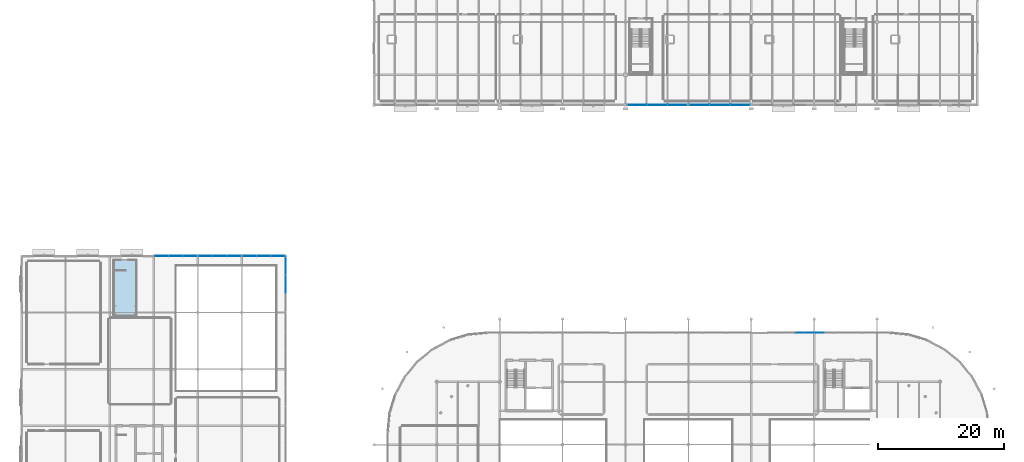
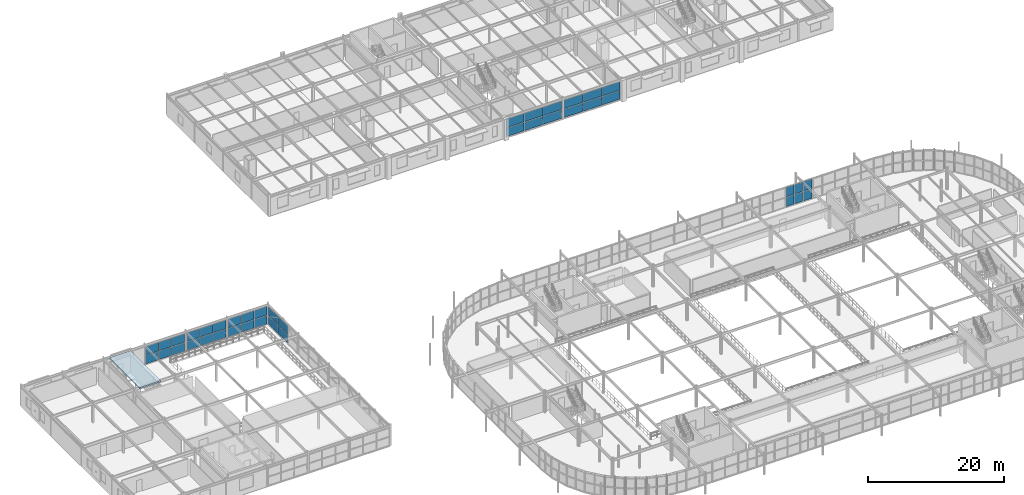
# One storey, part 69 of 98: 40 plates, 1 slab, 8 elements without a shape of their own.
"""IFC4 building model written with IfcOpenShell, lengths in metres."""

import ifcopenshell
import ifcopenshell.guid

model = None  # the IFC model being written
_history = None  # IfcOwnerHistory: only IFC2X3 demands one
_inside = {}  # id of a spatial element -> (the spatial element, [elements in it])
_under = {}  # id of a project, library or spatial element -> (it, [spatial elements below it])
_declared = {}  # id of a project -> (the project, [libraries it declares])
_typed = {}  # id of a type object -> (the type object, [elements of that type])
_made_of = {}  # id of a material, layer set ... -> (it, [elements and type objects made of it])


def new_model(schema):
    """Start an empty IFC model of exactly this schema.

    Asked for "IFC4X3", IfcOpenShell would pick the latest addendum, in which some entities
    have other attributes; the version numbers below select the first issue.
    IFC2X3 requires an IfcOwnerHistory on every rooted entity: one is made here for all.
    """
    global model, _history
    if schema == "IFC4X3":
        model = ifcopenshell.file(schema_version=(4, 3, 0, 0))
    else:
        model = ifcopenshell.file(schema=schema)
    _inside.clear()
    _under.clear()
    _declared.clear()
    _typed.clear()
    _made_of.clear()
    _history = None
    if model.schema == "IFC2X3":
        org = make("IfcOrganization", Name="unknown")
        user = make(
            "IfcPersonAndOrganization",
            ThePerson=make("IfcPerson", FamilyName="unknown"),
            TheOrganization=org,
        )
        app = make(
            "IfcApplication",
            ApplicationDeveloper=org,
            Version="unknown",
            ApplicationFullName="unknown",
            ApplicationIdentifier="unknown",
        )
        _history = make(
            "IfcOwnerHistory",
            OwningUser=user,
            OwningApplication=app,
            ChangeAction="ADDED",
            CreationDate=0,
        )
    return model


def make(cls, **values):
    """One entity of the class cls with the attributes given. An attribute that is None is left unset."""
    return model.create_entity(
        cls, **{name: value for name, value in values.items() if value is not None}
    )


def rooted(cls, **values):
    """An entity with a GlobalId (a new one), such as an element, a storey or a relation."""
    return make(cls, GlobalId=ifcopenshell.guid.new(), OwnerHistory=_history, **values)


def si_unit(unit_type, name, prefix=None):
    """IfcSIUnit, for example si_unit("LENGTHUNIT", "METRE", prefix="MILLI")."""
    return make("IfcSIUnit", UnitType=unit_type, Prefix=prefix, Name=name)


def derived_unit(unit_type, elements):
    """IfcDerivedUnit: a product of units, each with its exponent."""
    return make(
        "IfcDerivedUnit",
        Elements=[
            make("IfcDerivedUnitElement", Unit=unit, Exponent=power)
            for unit, power in elements
        ],
        UnitType=unit_type,
    )


def assignment(units):
    """IfcUnitAssignment: the units of a project."""
    return None if units is None else make("IfcUnitAssignment", Units=units)


def point(xyz):
    """IfcCartesianPoint."""
    return None if xyz is None else make("IfcCartesianPoint", Coordinates=xyz)


def direction(xyz):
    """IfcDirection."""
    return None if xyz is None else make("IfcDirection", DirectionRatios=xyz)


def frame(location, z_axis=None, x_axis=None):
    """IfcAxis2Placement3D, a coordinate frame: its origin and axes. An axis left out is left unset."""
    return make(
        "IfcAxis2Placement3D",
        Location=point(location),
        Axis=direction(z_axis),
        RefDirection=direction(x_axis),
    )


def frame_2d(location, x_axis=None):
    """IfcAxis2Placement2D, a coordinate frame in the plane: its origin and x axis."""
    return make(
        "IfcAxis2Placement2D", Location=point(location), RefDirection=direction(x_axis)
    )


def origin():
    """The frame at (0, 0, 0) with its axes left unset."""
    return frame((0.0, 0.0, 0.0))


def origin_2d_with_axis():
    """The frame at (0, 0) in the plane with the x axis (1, 0) written out."""
    return frame_2d((0.0, 0.0), x_axis=(1.0, 0.0))


def place(relative_to, where):
    """IfcLocalPlacement: puts the frame where relative to a parent placement (None: the world)."""
    return make(
        "IfcLocalPlacement", PlacementRelTo=relative_to, RelativePlacement=where
    )


def context(
    kind, dimensions, precision=None, world=None, true_north=None, identifier=None
):
    """IfcGeometricRepresentationContext, for example the 3D "Model" context."""
    return make(
        "IfcGeometricRepresentationContext",
        ContextIdentifier=identifier,
        ContextType=kind,
        CoordinateSpaceDimension=dimensions,
        Precision=precision,
        WorldCoordinateSystem=world,
        TrueNorth=true_north,
    )


def subcontext(parent, identifier, kind, view, scale=None):
    """IfcGeometricRepresentationSubContext, for example "Body" below "Model"."""
    return make(
        "IfcGeometricRepresentationSubContext",
        ContextIdentifier=identifier,
        ContextType=kind,
        ParentContext=parent,
        TargetScale=scale,
        TargetView=view,
    )


def project(units=None, contexts=None):
    """IfcProject with its units and contexts."""
    return rooted(
        "IfcProject",
        Name="project",
        RepresentationContexts=contexts,
        UnitsInContext=assignment(units),
    )


def spatial(cls, under=None, at=None, **own):
    """A site, building, storey or space (cls), placed at a placement, below another one or the project."""
    s = rooted(cls, ObjectPlacement=at, **own)
    if under is not None:
        _under.setdefault(under.id(), (under, []))[1].append(s)
    return s


def polyline(points):
    """IfcPolyline through the points."""
    return make("IfcPolyline", Points=[point(p) for p in points])


def profile(cls, at=None, kind="AREA", **sizes):
    """A parametric profile (cls). Its sizes go by their IFC names, for example OverallWidth=200.0."""
    return make(cls, ProfileType=kind, Position=at, **sizes)


def rectangle(**sizes):
    """IfcRectangleProfileDef."""
    return profile("IfcRectangleProfileDef", **sizes)


def outline(outer, holes=None, kind="AREA"):
    """IfcArbitraryClosedProfileDef: a profile drawn as a closed curve; with holes, ...WithVoids."""
    if holes is None:
        return make("IfcArbitraryClosedProfileDef", ProfileType=kind, OuterCurve=outer)
    return make(
        "IfcArbitraryProfileDefWithVoids",
        ProfileType=kind,
        OuterCurve=outer,
        InnerCurves=holes,
    )


def extrude(swept, where, along, depth):
    """IfcExtrudedAreaSolid: the profile swept, set in the frame where, extruded along a direction by depth."""
    return make(
        "IfcExtrudedAreaSolid",
        SweptArea=swept,
        Position=where,
        ExtrudedDirection=direction(along),
        Depth=depth,
    )


def shape(context_of_items, identifier, shape_type, items):
    """IfcShapeRepresentation: the items that make up one representation, for example the "Body"."""
    return make(
        "IfcShapeRepresentation",
        ContextOfItems=context_of_items,
        RepresentationIdentifier=identifier,
        RepresentationType=shape_type,
        Items=items,
    )


def material(Name=None, Category=None):
    """IfcMaterial."""
    return make("IfcMaterial", Name=Name, Category=Category)


def layer(
    of_material, thickness, ventilated=None, Name=None, Category=None, Priority=None
):
    """IfcMaterialLayer: one layer of a wall or slab, of a material (None: an air gap)."""
    return make(
        "IfcMaterialLayer",
        Material=of_material,
        LayerThickness=thickness,
        IsVentilated=ventilated,
        Name=Name,
        Category=Category,
        Priority=Priority,
    )


def layer_set(layers, Name=None):
    """IfcMaterialLayerSet."""
    return make("IfcMaterialLayerSet", MaterialLayers=layers, LayerSetName=Name)


def made_of(thing, what):
    """Note that an element or type object is made of a material, layer set ...; save() writes the relation."""
    if what is not None:
        _made_of.setdefault(what.id(), (what, []))[1].append(thing)
    return thing


def type_object(cls, material=None, **own):
    """A type object (cls), such as IfcWallType, which elements share."""
    return made_of(rooted(cls, **own), material)


def element(
    cls,
    number,
    at=None,
    inside=None,
    cuts=None,
    type_object=None,
    material=None,
    context=None,
    identifier="Body",
    shape_type=None,
    held_by="IfcProductDefinitionShape",
    body=None,
    shapes=None,
    **own,
):
    """One element of the class cls, such as IfcWall. Its Tag is "e" and its number.

    at: its placement. inside: the storey or other place that contains it. cuts: it is an
    opening in that element (IfcRelVoidsElement). A single representation is given by context,
    identifier, shape_type and body (its items); several are given by shapes. held_by: the class
    of the entity that holds the representations. save() writes the other relations.
    """
    e = rooted(cls, Tag="e%d" % number, ObjectPlacement=at, **own)
    if body is not None:
        shapes = [shape(context, identifier, shape_type, body)]
    if shapes is not None:
        e.Representation = make(held_by, Representations=shapes)
    if inside is not None:
        _inside.setdefault(inside.id(), (inside, []))[1].append(e)
    if cuts is not None:
        rooted(
            "IfcRelVoidsElement", RelatingBuildingElement=cuts, RelatedOpeningElement=e
        )
    if type_object is not None:
        _typed.setdefault(type_object.id(), (type_object, []))[1].append(e)
    return made_of(e, material)


def aggregate(whole, parts):
    """IfcRelAggregates: a whole, such as a stair, and the parts it consists of."""
    return rooted("IfcRelAggregates", RelatingObject=whole, RelatedObjects=parts)


def save(model, path):
    """Write the relations noted so far, then the file.

    IfcRelAggregates (storeys below a building ...), IfcRelContainedInSpatialStructure (elements
    in a storey), IfcRelDefinesByType, IfcRelAssociatesMaterial and IfcRelDeclares: one each for
    every whole, place, type object, material and project.
    """
    for whole, parts in _under.values():
        aggregate(whole, parts)
    for where, things in _inside.values():
        rooted(
            "IfcRelContainedInSpatialStructure",
            RelatedElements=things,
            RelatingStructure=where,
        )
    for kind, things in _typed.values():
        rooted("IfcRelDefinesByType", RelatedObjects=things, RelatingType=kind)
    for what, things in _made_of.values():
        rooted("IfcRelAssociatesMaterial", RelatedObjects=things, RelatingMaterial=what)
    for by, libraries in _declared.values():
        rooted("IfcRelDeclares", RelatingContext=by, RelatedDefinitions=libraries)
    model.write(path)


model = new_model("IFC4")

# Units and contexts
model_context = context("Model", 3, precision=1e-05, world=origin(), true_north=direction((0.0, 1.0)))
body_context = subcontext(model_context, "Body", "Model", "MODEL_VIEW")
ifc_project = project(units=[si_unit("LENGTHUNIT", "METRE"), si_unit("AREAUNIT", "SQUARE_METRE"), si_unit("VOLUMEUNIT", "CUBIC_METRE"), si_unit("PLANEANGLEUNIT", "RADIAN"), si_unit("MASSUNIT", "GRAM", prefix="KILO"), derived_unit("THERMALTRANSMITTANCEUNIT", [(si_unit("POWERUNIT", "WATT"), 1), (si_unit("LENGTHUNIT", "METRE"), -2), (si_unit("THERMODYNAMICTEMPERATUREUNIT", "KELVIN"), -1)])], contexts=[model_context])

# Site, building, storey
site_placement = place(None, origin())
site = spatial("IfcSite", under=ifc_project, at=site_placement, CompositionType="ELEMENT")
building_placement = place(site_placement, origin())
building = spatial("IfcBuilding", under=site, at=building_placement, Name="Cinnabar Yard Market Hall", CompositionType="ELEMENT")
storey_placement = place(building_placement, frame((0.0, 0.0, 4.5)))
storey = spatial("IfcBuildingStorey", under=building, at=storey_placement, Name="L01", CompositionType="ELEMENT", Elevation=4.5)

# Curtain wall, plates
ifc_material_1 = material(Name="Anodised bronze aluminium and low-E glass", Category="aluminium")
curtain_wall_type_1 = type_object("IfcCurtainWallType", Name="CW-CWH030x36", PredefinedType="NOTDEFINED", material=ifc_material_1)
curtain_wall_1_placement = place(storey_placement, origin())
curtain_wall_1 = element("IfcCurtainWall", 1, at=curtain_wall_1_placement, inside=storey, type_object=curtain_wall_type_1, Name="Market Hall North Gallery Glazing B5B", PredefinedType="NOTDEFINED")
ifc_material_2 = material(Name="Low-E laminated glass", Category="glass")
ifc_layer_1 = layer(ifc_material_2, 0.031982421875)
ifc_layer_set_1 = layer_set([ifc_layer_1], Name="Low-E laminated glass")
plate_type_1 = type_object("IfcPlateType", Name="CWP-GP138x171", PredefinedType="CURTAIN_PANEL", material=ifc_layer_set_1)
plate_1_placement = place(storey_placement, frame((135.22998046875, 71.800048828125, 0.080078125), z_axis=(0.0, 0.0, 1.0), x_axis=(-1.0, 0.0, 0.0)))
plate_1 = element("IfcPlate", 2, at=plate_1_placement, type_object=plate_type_1, Name="CWH030x36 panel 1.1", PredefinedType="CURTAIN_PANEL", context=body_context, shape_type="SweptSolid", body=[
    extrude(rectangle(XDim=1.3798828125, YDim=0.031982421875, at=origin_2d_with_axis()), origin(), (0.0, 0.0, 1.0), 1.705078125),
])
plate_2_placement = place(storey_placement, frame((135.22998046875, 71.800048828125, 1.864990234375), z_axis=(0.0, 0.0, 1.0), x_axis=(-1.0, 0.0, 0.0)))
plate_2 = element("IfcPlate", 3, at=plate_2_placement, type_object=plate_type_1, Name="CWH030x36 panel 1.2", PredefinedType="CURTAIN_PANEL", context=body_context, shape_type="SweptSolid", body=[
    extrude(rectangle(XDim=1.3798828125, YDim=0.031982421875, at=origin_2d_with_axis()), origin(), (0.0, 0.0, 1.0), 1.705078125),
])
plate_3_placement = place(storey_placement, frame((133.77001953125, 71.800048828125, 0.080078125), z_axis=(0.0, 0.0, 1.0), x_axis=(-1.0, 0.0, 0.0)))
plate_3 = element("IfcPlate", 4, at=plate_3_placement, type_object=plate_type_1, Name="CWH030x36 panel 2.1", PredefinedType="CURTAIN_PANEL", context=body_context, shape_type="SweptSolid", body=[
    extrude(rectangle(XDim=1.3798828125, YDim=0.031982421875, at=origin_2d_with_axis()), origin(), (0.0, 0.0, 1.0), 1.705078125),
])
plate_4_placement = place(storey_placement, frame((133.77001953125, 71.800048828125, 1.864990234375), z_axis=(0.0, 0.0, 1.0), x_axis=(-1.0, 0.0, 0.0)))
plate_4 = element("IfcPlate", 5, at=plate_4_placement, type_object=plate_type_1, Name="CWH030x36 panel 2.2", PredefinedType="CURTAIN_PANEL", context=body_context, shape_type="SweptSolid", body=[
    extrude(rectangle(XDim=1.3798828125, YDim=0.031982421875, at=origin_2d_with_axis()), origin(), (0.0, 0.0, 1.0), 1.705078125),
])
aggregate(curtain_wall_1, [plate_1, plate_2, plate_3, plate_4])

curtain_wall_type_2 = type_object("IfcCurtainWallType", Name="CW-CWH032x36", PredefinedType="NOTDEFINED", material=ifc_material_1)
curtain_wall_2_placement = place(storey_placement, origin())
curtain_wall_2 = element("IfcCurtainWall", 6, at=curtain_wall_2_placement, inside=storey, type_object=curtain_wall_type_2, Name="Market Hall North Gallery Glazing B6A", PredefinedType="NOTDEFINED")
ifc_layer_2 = layer(ifc_material_2, 0.031982421875)
ifc_layer_set_2 = layer_set([ifc_layer_2], Name="Low-E laminated glass")
plate_type_2 = type_object("IfcPlateType", Name="CWP-GP148x171", PredefinedType="CURTAIN_PANEL", material=ifc_layer_set_2)
plate_5_placement = place(storey_placement, frame((136.820068359375, 71.800048828125, 0.080078125), z_axis=(0.0, 0.0, 1.0), x_axis=(-1.0, 0.0, 0.0)))
plate_5 = element("IfcPlate", 7, at=plate_5_placement, type_object=plate_type_2, Name="CWH032x36 panel 2.1", PredefinedType="CURTAIN_PANEL", context=body_context, shape_type="SweptSolid", body=[
    extrude(rectangle(XDim=1.47998046875, YDim=0.031982421875, at=origin_2d_with_axis()), origin(), (0.0, 0.0, 1.0), 1.705078125),
])
plate_6_placement = place(storey_placement, frame((136.820068359375, 71.800048828125, 1.864990234375), z_axis=(0.0, 0.0, 1.0), x_axis=(-1.0, 0.0, 0.0)))
plate_6 = element("IfcPlate", 8, at=plate_6_placement, type_object=plate_type_2, Name="CWH032x36 panel 2.2", PredefinedType="CURTAIN_PANEL", context=body_context, shape_type="SweptSolid", body=[
    extrude(rectangle(XDim=1.47998046875, YDim=0.031982421875, at=origin_2d_with_axis()), origin(), (0.0, 0.0, 1.0), 1.705078125),
])
aggregate(curtain_wall_2, [plate_5, plate_6])

ifc_material_3 = material(Name="Anodised bronze aluminium courtyard facade", Category="aluminium")
curtain_wall_type_3 = type_object("IfcCurtainWallType", Name="CW-CWF068x33", PredefinedType="NOTDEFINED", material=ifc_material_3)
curtain_wall_3_placement = place(storey_placement, origin())
curtain_wall_3 = element("IfcCurtainWall", 9, at=curtain_wall_3_placement, inside=storey, type_object=curtain_wall_type_3, Name="Pavilion North Glazed Arcade L01 Bay 4", PredefinedType="NOTDEFINED")
ifc_layer_3 = layer(ifc_material_2, 0.031982421875)
ifc_layer_set_3 = layer_set([ifc_layer_3], Name="Low-E laminated glass")
plate_type_3 = type_object("IfcPlateType", Name="CWP-GP215x153", PredefinedType="CURTAIN_PANEL", material=ifc_layer_set_3)
plate_7_placement = place(storey_placement, frame((36.747802734375, 84.0, 0.0751953125), z_axis=(0.0, 0.0, 1.0), x_axis=(-1.0, 0.0, 0.0)))
plate_7 = element("IfcPlate", 10, at=plate_7_placement, type_object=plate_type_3, Name="CWF068x33 panel 1.1", PredefinedType="CURTAIN_PANEL", context=body_context, shape_type="SweptSolid", body=[
    extrude(rectangle(XDim=2.154052734375, YDim=0.031982421875, at=origin_2d_with_axis()), origin(), (0.0, 0.0, 1.0), 1.532470703125),
])
plate_8_placement = place(storey_placement, frame((36.747802734375, 84.0, 1.6826171875), z_axis=(0.0, 0.0, 1.0), x_axis=(-1.0, 0.0, 0.0)))
plate_8 = element("IfcPlate", 11, at=plate_8_placement, type_object=plate_type_3, Name="CWF068x33 panel 1.2", PredefinedType="CURTAIN_PANEL", context=body_context, shape_type="SweptSolid", body=[
    extrude(rectangle(XDim=2.154052734375, YDim=0.031982421875, at=origin_2d_with_axis()), origin(), (0.0, 0.0, 1.0), 1.532470703125),
])
plate_9_placement = place(storey_placement, frame((32.252197265625, 84.0, 0.0751953125), z_axis=(0.0, 0.0, 1.0), x_axis=(-1.0, 0.0, 0.0)))
plate_9 = element("IfcPlate", 12, at=plate_9_placement, type_object=plate_type_3, Name="CWF068x33 panel 3.1", PredefinedType="CURTAIN_PANEL", context=body_context, shape_type="SweptSolid", body=[
    extrude(rectangle(XDim=2.154052734375, YDim=0.031982421875, at=origin_2d_with_axis()), origin(), (0.0, 0.0, 1.0), 1.532470703125),
])
plate_10_placement = place(storey_placement, frame((32.252197265625, 84.0, 1.6826171875), z_axis=(0.0, 0.0, 1.0), x_axis=(-1.0, 0.0, 0.0)))
plate_10 = element("IfcPlate", 13, at=plate_10_placement, type_object=plate_type_3, Name="CWF068x33 panel 3.2", PredefinedType="CURTAIN_PANEL", context=body_context, shape_type="SweptSolid", body=[
    extrude(rectangle(XDim=2.154052734375, YDim=0.031982421875, at=origin_2d_with_axis()), origin(), (0.0, 0.0, 1.0), 1.532470703125),
])

curtain_wall_4_placement = place(storey_placement, origin())
curtain_wall_4 = element("IfcCurtainWall", 14, at=curtain_wall_4_placement, inside=storey, type_object=curtain_wall_type_3, Name="Pavilion North Glazed Arcade L01 Bay 5", PredefinedType="NOTDEFINED")
plate_11_placement = place(storey_placement, frame((43.747802734375, 84.0, 0.0751953125), z_axis=(0.0, 0.0, 1.0), x_axis=(-1.0, 0.0, 0.0)))
plate_11 = element("IfcPlate", 15, at=plate_11_placement, type_object=plate_type_3, Name="CWF068x33 panel 1.1", PredefinedType="CURTAIN_PANEL", context=body_context, shape_type="SweptSolid", body=[
    extrude(rectangle(XDim=2.154052734375, YDim=0.031982421875, at=origin_2d_with_axis()), origin(), (0.0, 0.0, 1.0), 1.532470703125),
])
plate_12_placement = place(storey_placement, frame((43.747802734375, 84.0, 1.6826171875), z_axis=(0.0, 0.0, 1.0), x_axis=(-1.0, 0.0, 0.0)))
plate_12 = element("IfcPlate", 16, at=plate_12_placement, type_object=plate_type_3, Name="CWF068x33 panel 1.2", PredefinedType="CURTAIN_PANEL", context=body_context, shape_type="SweptSolid", body=[
    extrude(rectangle(XDim=2.154052734375, YDim=0.031982421875, at=origin_2d_with_axis()), origin(), (0.0, 0.0, 1.0), 1.532470703125),
])
plate_13_placement = place(storey_placement, frame((39.252197265625, 84.0, 0.0751953125), z_axis=(0.0, 0.0, 1.0), x_axis=(-1.0, 0.0, 0.0)))
plate_13 = element("IfcPlate", 17, at=plate_13_placement, type_object=plate_type_3, Name="CWF068x33 panel 3.1", PredefinedType="CURTAIN_PANEL", context=body_context, shape_type="SweptSolid", body=[
    extrude(rectangle(XDim=2.154052734375, YDim=0.031982421875, at=origin_2d_with_axis()), origin(), (0.0, 0.0, 1.0), 1.532470703125),
])
plate_14_placement = place(storey_placement, frame((39.252197265625, 84.0, 1.6826171875), z_axis=(0.0, 0.0, 1.0), x_axis=(-1.0, 0.0, 0.0)))
plate_14 = element("IfcPlate", 18, at=plate_14_placement, type_object=plate_type_3, Name="CWF068x33 panel 3.2", PredefinedType="CURTAIN_PANEL", context=body_context, shape_type="SweptSolid", body=[
    extrude(rectangle(XDim=2.154052734375, YDim=0.031982421875, at=origin_2d_with_axis()), origin(), (0.0, 0.0, 1.0), 1.532470703125),
])

curtain_wall_5_placement = place(storey_placement, origin())
curtain_wall_5 = element("IfcCurtainWall", 19, at=curtain_wall_5_placement, inside=storey, type_object=curtain_wall_type_3, Name="Pavilion North Glazed Arcade L01 Bay 6", PredefinedType="NOTDEFINED")
plate_15_placement = place(storey_placement, frame((50.747802734375, 84.0, 0.0751953125), z_axis=(0.0, 0.0, 1.0), x_axis=(-1.0, 0.0, 0.0)))
plate_15 = element("IfcPlate", 20, at=plate_15_placement, type_object=plate_type_3, Name="CWF068x33 panel 1.1", PredefinedType="CURTAIN_PANEL", context=body_context, shape_type="SweptSolid", body=[
    extrude(rectangle(XDim=2.154052734375, YDim=0.031982421875, at=origin_2d_with_axis()), origin(), (0.0, 0.0, 1.0), 1.532470703125),
])
plate_16_placement = place(storey_placement, frame((50.747802734375, 84.0, 1.6826171875), z_axis=(0.0, 0.0, 1.0), x_axis=(-1.0, 0.0, 0.0)))
plate_16 = element("IfcPlate", 21, at=plate_16_placement, type_object=plate_type_3, Name="CWF068x33 panel 1.2", PredefinedType="CURTAIN_PANEL", context=body_context, shape_type="SweptSolid", body=[
    extrude(rectangle(XDim=2.154052734375, YDim=0.031982421875, at=origin_2d_with_axis()), origin(), (0.0, 0.0, 1.0), 1.532470703125),
])
plate_17_placement = place(storey_placement, frame((46.252197265625, 84.0, 0.0751953125), z_axis=(0.0, 0.0, 1.0), x_axis=(-1.0, 0.0, 0.0)))
plate_17 = element("IfcPlate", 22, at=plate_17_placement, type_object=plate_type_3, Name="CWF068x33 panel 3.1", PredefinedType="CURTAIN_PANEL", context=body_context, shape_type="SweptSolid", body=[
    extrude(rectangle(XDim=2.154052734375, YDim=0.031982421875, at=origin_2d_with_axis()), origin(), (0.0, 0.0, 1.0), 1.532470703125),
])
plate_18_placement = place(storey_placement, frame((46.252197265625, 84.0, 1.6826171875), z_axis=(0.0, 0.0, 1.0), x_axis=(-1.0, 0.0, 0.0)))
plate_18 = element("IfcPlate", 23, at=plate_18_placement, type_object=plate_type_3, Name="CWF068x33 panel 3.2", PredefinedType="CURTAIN_PANEL", context=body_context, shape_type="SweptSolid", body=[
    extrude(rectangle(XDim=2.154052734375, YDim=0.031982421875, at=origin_2d_with_axis()), origin(), (0.0, 0.0, 1.0), 1.532470703125),
])

# Plate
ifc_layer_4 = layer(ifc_material_2, 0.031982421875)
ifc_layer_set_4 = layer_set([ifc_layer_4], Name="Low-E laminated glass")
plate_type_4 = type_object("IfcPlateType", Name="CWP-GP219x153", PredefinedType="CURTAIN_PANEL", material=ifc_layer_set_4)
plate_19_placement = place(storey_placement, frame((34.5, 84.0, 0.0751953125), z_axis=(0.0, 0.0, 1.0), x_axis=(-1.0, 0.0, 0.0)))
plate_19 = element("IfcPlate", 24, at=plate_19_placement, type_object=plate_type_4, Name="CWF068x33 panel 2.1", PredefinedType="CURTAIN_PANEL", context=body_context, shape_type="SweptSolid", body=[
    extrude(rectangle(XDim=2.191650390625, YDim=0.031982421875, at=origin_2d_with_axis()), origin(), (0.0, 0.0, 1.0), 1.532470703125),
])

plate_20_placement = place(storey_placement, frame((34.5, 84.0, 1.6826171875), z_axis=(0.0, 0.0, 1.0), x_axis=(-1.0, 0.0, 0.0)))
plate_20 = element("IfcPlate", 25, at=plate_20_placement, type_object=plate_type_4, Name="CWF068x33 panel 2.2", PredefinedType="CURTAIN_PANEL", context=body_context, shape_type="SweptSolid", body=[
    extrude(rectangle(XDim=2.191650390625, YDim=0.031982421875, at=origin_2d_with_axis()), origin(), (0.0, 0.0, 1.0), 1.532470703125),
])

aggregate(curtain_wall_3, [plate_7, plate_8, plate_19, plate_20, plate_9, plate_10])

plate_21_placement = place(storey_placement, frame((41.5, 84.0, 0.0751953125), z_axis=(0.0, 0.0, 1.0), x_axis=(-1.0, 0.0, 0.0)))
plate_21 = element("IfcPlate", 26, at=plate_21_placement, type_object=plate_type_4, Name="CWF068x33 panel 2.1", PredefinedType="CURTAIN_PANEL", context=body_context, shape_type="SweptSolid", body=[
    extrude(rectangle(XDim=2.191650390625, YDim=0.031982421875, at=origin_2d_with_axis()), origin(), (0.0, 0.0, 1.0), 1.532470703125),
])

plate_22_placement = place(storey_placement, frame((41.5, 84.0, 1.6826171875), z_axis=(0.0, 0.0, 1.0), x_axis=(-1.0, 0.0, 0.0)))
plate_22 = element("IfcPlate", 27, at=plate_22_placement, type_object=plate_type_4, Name="CWF068x33 panel 2.2", PredefinedType="CURTAIN_PANEL", context=body_context, shape_type="SweptSolid", body=[
    extrude(rectangle(XDim=2.191650390625, YDim=0.031982421875, at=origin_2d_with_axis()), origin(), (0.0, 0.0, 1.0), 1.532470703125),
])

aggregate(curtain_wall_4, [plate_11, plate_12, plate_21, plate_22, plate_13, plate_14])

plate_23_placement = place(storey_placement, frame((48.5, 84.0, 0.0751953125), z_axis=(0.0, 0.0, 1.0), x_axis=(-1.0, 0.0, 0.0)))
plate_23 = element("IfcPlate", 28, at=plate_23_placement, type_object=plate_type_4, Name="CWF068x33 panel 2.1", PredefinedType="CURTAIN_PANEL", context=body_context, shape_type="SweptSolid", body=[
    extrude(rectangle(XDim=2.191650390625, YDim=0.031982421875, at=origin_2d_with_axis()), origin(), (0.0, 0.0, 1.0), 1.532470703125),
])

plate_24_placement = place(storey_placement, frame((48.5, 84.0, 1.6826171875), z_axis=(0.0, 0.0, 1.0), x_axis=(-1.0, 0.0, 0.0)))
plate_24 = element("IfcPlate", 29, at=plate_24_placement, type_object=plate_type_4, Name="CWF068x33 panel 2.2", PredefinedType="CURTAIN_PANEL", context=body_context, shape_type="SweptSolid", body=[
    extrude(rectangle(XDim=2.191650390625, YDim=0.031982421875, at=origin_2d_with_axis()), origin(), (0.0, 0.0, 1.0), 1.532470703125),
])

aggregate(curtain_wall_5, [plate_15, plate_16, plate_23, plate_24, plate_17, plate_18])

# Curtain wall, plates
curtain_wall_type_4 = type_object("IfcCurtainWallType", Name="CW-CWF088x33", PredefinedType="NOTDEFINED", material=ifc_material_3)
curtain_wall_6_placement = place(storey_placement, origin())
curtain_wall_6 = element("IfcCurtainWall", 30, at=curtain_wall_6_placement, inside=storey, type_object=curtain_wall_type_4, Name="Pavilion Courtyard Glazing L01 Bay 4", PredefinedType="NOTDEFINED")
ifc_layer_5 = layer(ifc_material_2, 0.031982421875)
ifc_layer_set_5 = layer_set([ifc_layer_5], Name="Low-E laminated glass")
plate_type_5 = type_object("IfcPlateType", Name="CWP-GP282x153", PredefinedType="CURTAIN_PANEL", material=ifc_layer_set_5)
plate_25_placement = place(storey_placement, frame((52.0, 82.41455078125, 0.0751953125), z_axis=(0.0, 0.0, 1.0), x_axis=(0.0, 1.0, 0.0)))
plate_25 = element("IfcPlate", 31, at=plate_25_placement, type_object=plate_type_5, Name="CWF088x33 panel 3.1", PredefinedType="CURTAIN_PANEL", context=body_context, shape_type="SweptSolid", body=[
    extrude(rectangle(XDim=2.82080078125, YDim=0.031982421875, at=origin_2d_with_axis()), origin(), (0.0, 0.0, 1.0), 1.532470703125),
])
plate_26_placement = place(storey_placement, frame((52.0, 82.41455078125, 1.6826171875), z_axis=(0.0, 0.0, 1.0), x_axis=(0.0, 1.0, 0.0)))
plate_26 = element("IfcPlate", 32, at=plate_26_placement, type_object=plate_type_5, Name="CWF088x33 panel 3.2", PredefinedType="CURTAIN_PANEL", context=body_context, shape_type="SweptSolid", body=[
    extrude(rectangle(XDim=2.82080078125, YDim=0.031982421875, at=origin_2d_with_axis()), origin(), (0.0, 0.0, 1.0), 1.532470703125),
])
ifc_layer_6 = layer(ifc_material_2, 0.031982421875)
ifc_layer_set_6 = layer_set([ifc_layer_6], Name="Low-E laminated glass")
plate_type_6 = type_object("IfcPlateType", Name="CWP-GP286x153", PredefinedType="CURTAIN_PANEL", material=ifc_layer_set_6)
plate_27_placement = place(storey_placement, frame((52.0, 79.5, 0.0751953125), z_axis=(0.0, 0.0, 1.0), x_axis=(0.0, 1.0, 0.0)))
plate_27 = element("IfcPlate", 33, at=plate_27_placement, type_object=plate_type_6, Name="CWF088x33 panel 2.1", PredefinedType="CURTAIN_PANEL", context=body_context, shape_type="SweptSolid", body=[
    extrude(rectangle(XDim=2.8583984375, YDim=0.031982421875, at=origin_2d_with_axis()), origin(), (0.0, 0.0, 1.0), 1.532470703125),
])
plate_28_placement = place(storey_placement, frame((52.0, 79.5, 1.6826171875), z_axis=(0.0, 0.0, 1.0), x_axis=(0.0, 1.0, 0.0)))
plate_28 = element("IfcPlate", 34, at=plate_28_placement, type_object=plate_type_6, Name="CWF088x33 panel 2.2", PredefinedType="CURTAIN_PANEL", context=body_context, shape_type="SweptSolid", body=[
    extrude(rectangle(XDim=2.8583984375, YDim=0.031982421875, at=origin_2d_with_axis()), origin(), (0.0, 0.0, 1.0), 1.532470703125),
])
aggregate(curtain_wall_6, [plate_27, plate_28, plate_25, plate_26])

curtain_wall_type_5 = type_object("IfcCurtainWallType", Name="CW-CWF096x33", PredefinedType="NOTDEFINED", material=ifc_material_3)
curtain_wall_7_placement = place(storey_placement, origin())
curtain_wall_7 = element("IfcCurtainWall", 35, at=curtain_wall_7_placement, inside=storey, type_object=curtain_wall_type_5, Name="Wing South Pishtaq Glazing L01 Bay 5", PredefinedType="NOTDEFINED")
ifc_layer_7 = layer(ifc_material_2, 0.031982421875)
ifc_layer_set_7 = layer_set([ifc_layer_7], Name="Low-E laminated glass")
plate_type_7 = type_object("IfcPlateType", Name="CWP-GP308x153", PredefinedType="CURTAIN_PANEL", material=ifc_layer_set_7)
plate_29_placement = place(storey_placement, frame((107.870361328125, 108.0, 0.0751953125), z_axis=(0.0, 0.0, 1.0), x_axis=(1.0, 0.0, 0.0)))
plate_29 = element("IfcPlate", 36, at=plate_29_placement, type_object=plate_type_7, Name="CWF096x33 panel 1.1", PredefinedType="CURTAIN_PANEL", context=body_context, shape_type="SweptSolid", body=[
    extrude(rectangle(XDim=3.082763671875, YDim=0.031982421875, at=origin_2d_with_axis()), origin(), (0.0, 0.0, 1.0), 1.532470703125),
])
plate_30_placement = place(storey_placement, frame((107.870361328125, 108.0, 1.6826171875), z_axis=(0.0, 0.0, 1.0), x_axis=(1.0, 0.0, 0.0)))
plate_30 = element("IfcPlate", 37, at=plate_30_placement, type_object=plate_type_7, Name="CWF096x33 panel 1.2", PredefinedType="CURTAIN_PANEL", context=body_context, shape_type="SweptSolid", body=[
    extrude(rectangle(XDim=3.082763671875, YDim=0.031982421875, at=origin_2d_with_axis()), origin(), (0.0, 0.0, 1.0), 1.532470703125),
])
plate_31_placement = place(storey_placement, frame((114.2236328125, 108.0, 0.0751953125), z_axis=(0.0, 0.0, 1.0), x_axis=(1.0, 0.0, 0.0)))
plate_31 = element("IfcPlate", 38, at=plate_31_placement, type_object=plate_type_7, Name="CWF096x33 panel 3.1", PredefinedType="CURTAIN_PANEL", context=body_context, shape_type="SweptSolid", body=[
    extrude(rectangle(XDim=3.082763671875, YDim=0.031982421875, at=origin_2d_with_axis()), origin(), (0.0, 0.0, 1.0), 1.532470703125),
])
plate_32_placement = place(storey_placement, frame((114.2236328125, 108.0, 1.6826171875), z_axis=(0.0, 0.0, 1.0), x_axis=(1.0, 0.0, 0.0)))
plate_32 = element("IfcPlate", 39, at=plate_32_placement, type_object=plate_type_7, Name="CWF096x33 panel 3.2", PredefinedType="CURTAIN_PANEL", context=body_context, shape_type="SweptSolid", body=[
    extrude(rectangle(XDim=3.082763671875, YDim=0.031982421875, at=origin_2d_with_axis()), origin(), (0.0, 0.0, 1.0), 1.532470703125),
])

curtain_wall_type_6 = type_object("IfcCurtainWallType", Name="CW-CWF097x33", PredefinedType="NOTDEFINED", material=ifc_material_3)
curtain_wall_8_placement = place(storey_placement, origin())
curtain_wall_8 = element("IfcCurtainWall", 40, at=curtain_wall_8_placement, inside=storey, type_object=curtain_wall_type_6, Name="Wing South Pishtaq Glazing L01 Bay 6", PredefinedType="NOTDEFINED")
ifc_layer_8 = layer(ifc_material_2, 0.031982421875)
ifc_layer_set_8 = layer_set([ifc_layer_8], Name="Low-E laminated glass")
plate_type_8 = type_object("IfcPlateType", Name="CWP-GP311x153", PredefinedType="CURTAIN_PANEL", material=ifc_layer_set_8)
plate_33_placement = place(storey_placement, frame((117.7919921875, 108.0, 0.0751953125), z_axis=(0.0, 0.0, 1.0), x_axis=(1.0, 0.0, 0.0)))
plate_33 = element("IfcPlate", 41, at=plate_33_placement, type_object=plate_type_8, Name="CWF097x33 panel 1.1", PredefinedType="CURTAIN_PANEL", context=body_context, shape_type="SweptSolid", body=[
    extrude(rectangle(XDim=3.1142578125, YDim=0.031982421875, at=origin_2d_with_axis()), origin(), (0.0, 0.0, 1.0), 1.532470703125),
])
plate_34_placement = place(storey_placement, frame((117.7919921875, 108.0, 1.6826171875), z_axis=(0.0, 0.0, 1.0), x_axis=(1.0, 0.0, 0.0)))
plate_34 = element("IfcPlate", 42, at=plate_34_placement, type_object=plate_type_8, Name="CWF097x33 panel 1.2", PredefinedType="CURTAIN_PANEL", context=body_context, shape_type="SweptSolid", body=[
    extrude(rectangle(XDim=3.1142578125, YDim=0.031982421875, at=origin_2d_with_axis()), origin(), (0.0, 0.0, 1.0), 1.532470703125),
])
plate_35_placement = place(storey_placement, frame((124.2080078125, 108.0, 0.0751953125), z_axis=(0.0, 0.0, 1.0), x_axis=(1.0, 0.0, 0.0)))
plate_35 = element("IfcPlate", 43, at=plate_35_placement, type_object=plate_type_8, Name="CWF097x33 panel 3.1", PredefinedType="CURTAIN_PANEL", context=body_context, shape_type="SweptSolid", body=[
    extrude(rectangle(XDim=3.1142578125, YDim=0.031982421875, at=origin_2d_with_axis()), origin(), (0.0, 0.0, 1.0), 1.532470703125),
])
plate_36_placement = place(storey_placement, frame((124.2080078125, 108.0, 1.6826171875), z_axis=(0.0, 0.0, 1.0), x_axis=(1.0, 0.0, 0.0)))
plate_36 = element("IfcPlate", 44, at=plate_36_placement, type_object=plate_type_8, Name="CWF097x33 panel 3.2", PredefinedType="CURTAIN_PANEL", context=body_context, shape_type="SweptSolid", body=[
    extrude(rectangle(XDim=3.1142578125, YDim=0.031982421875, at=origin_2d_with_axis()), origin(), (0.0, 0.0, 1.0), 1.532470703125),
])

# Plate
ifc_layer_9 = layer(ifc_material_2, 0.031982421875)
ifc_layer_set_9 = layer_set([ifc_layer_9], Name="Low-E laminated glass")
plate_type_9 = type_object("IfcPlateType", Name="CWP-GP312x153", PredefinedType="CURTAIN_PANEL", material=ifc_layer_set_9)
plate_37_placement = place(storey_placement, frame((111.047119140625, 108.0, 0.0751953125), z_axis=(0.0, 0.0, 1.0), x_axis=(1.0, 0.0, 0.0)))
plate_37 = element("IfcPlate", 45, at=plate_37_placement, type_object=plate_type_9, Name="CWF096x33 panel 2.1", PredefinedType="CURTAIN_PANEL", context=body_context, shape_type="SweptSolid", body=[
    extrude(rectangle(XDim=3.120361328125, YDim=0.031982421875, at=origin_2d_with_axis()), origin(), (0.0, 0.0, 1.0), 1.532470703125),
])

plate_38_placement = place(storey_placement, frame((111.047119140625, 108.0, 1.6826171875), z_axis=(0.0, 0.0, 1.0), x_axis=(1.0, 0.0, 0.0)))
plate_38 = element("IfcPlate", 46, at=plate_38_placement, type_object=plate_type_9, Name="CWF096x33 panel 2.2", PredefinedType="CURTAIN_PANEL", context=body_context, shape_type="SweptSolid", body=[
    extrude(rectangle(XDim=3.120361328125, YDim=0.031982421875, at=origin_2d_with_axis()), origin(), (0.0, 0.0, 1.0), 1.532470703125),
])

aggregate(curtain_wall_7, [plate_29, plate_30, plate_37, plate_38, plate_31, plate_32])

ifc_layer_10 = layer(ifc_material_2, 0.031982421875)
ifc_layer_set_10 = layer_set([ifc_layer_10], Name="Low-E laminated glass")
plate_type_10 = type_object("IfcPlateType", Name="CWP-GP315x153", PredefinedType="CURTAIN_PANEL", material=ifc_layer_set_10)
plate_39_placement = place(storey_placement, frame((121.0, 108.0, 0.0751953125), z_axis=(0.0, 0.0, 1.0), x_axis=(1.0, 0.0, 0.0)))
plate_39 = element("IfcPlate", 47, at=plate_39_placement, type_object=plate_type_10, Name="CWF097x33 panel 2.1", PredefinedType="CURTAIN_PANEL", context=body_context, shape_type="SweptSolid", body=[
    extrude(rectangle(XDim=3.151611328125, YDim=0.031982421875, at=origin_2d_with_axis()), origin(), (0.0, 0.0, 1.0), 1.532470703125),
])

plate_40_placement = place(storey_placement, frame((121.0, 108.0, 1.6826171875), z_axis=(0.0, 0.0, 1.0), x_axis=(1.0, 0.0, 0.0)))
plate_40 = element("IfcPlate", 48, at=plate_40_placement, type_object=plate_type_10, Name="CWF097x33 panel 2.2", PredefinedType="CURTAIN_PANEL", context=body_context, shape_type="SweptSolid", body=[
    extrude(rectangle(XDim=3.151611328125, YDim=0.031982421875, at=origin_2d_with_axis()), origin(), (0.0, 0.0, 1.0), 1.532470703125),
])

aggregate(curtain_wall_8, [plate_33, plate_34, plate_39, plate_40, plate_35, plate_36])

# Slab
ifc_material_4 = material(Name="Concrete 40 MPa", Category="concrete")
ifc_layer_11 = layer(ifc_material_4, 0.239990234375)
ifc_layer_set_11 = layer_set([ifc_layer_11], Name="Concrete 40 MPa")
slab_type = type_object("IfcSlabType", Name="SL-L03", PredefinedType="FLOOR", material=ifc_layer_set_11)
slab_placement = place(storey_placement, frame((0.0, 0.0, 3.64990234375)))
element("IfcSlab", 49, at=slab_placement, inside=storey, type_object=slab_type, Name="Stair ST-F3 Shaft Cap Slab", PredefinedType="FLOOR", context=body_context, shape_type="SweptSolid", body=[
    extrude(outline(polyline([(24.639892578125, 74.43994140625), (28.260009765625, 74.43994140625), (28.260009765625, 83.360107421875), (24.639892578125, 83.360107421875), (24.639892578125, 74.43994140625)])), origin(), (0.0, 0.0, 1.0), 0.239990234375),
])

save(model, "model.ifc")
